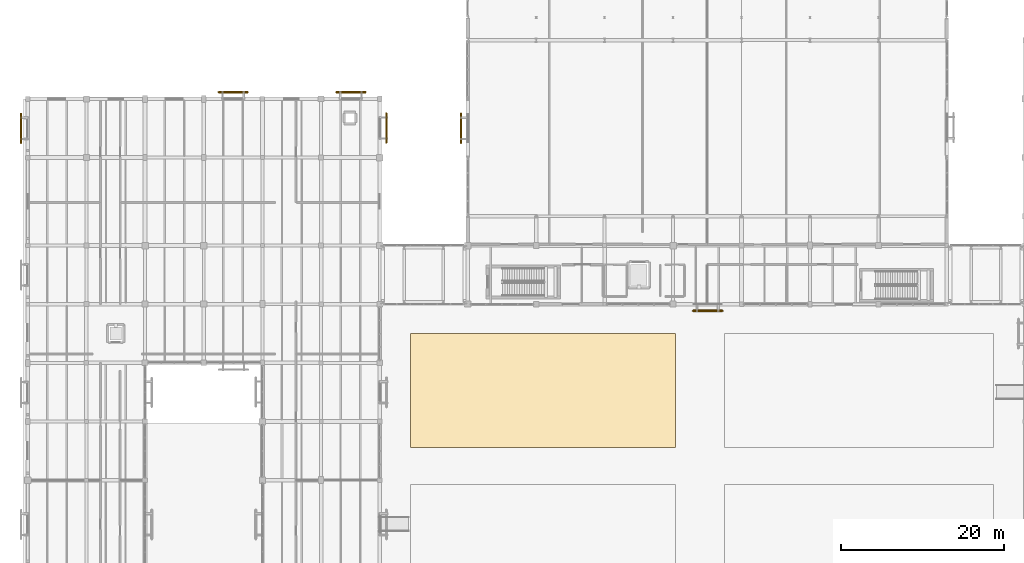
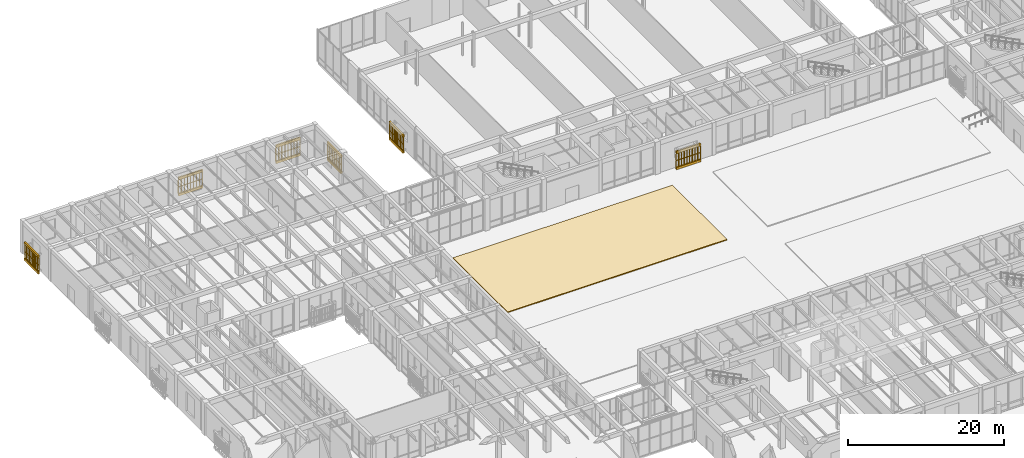
# One storey, part 155 of 169: 13 coverings, 12 railings.
"""IFC4 building model written with IfcOpenShell, lengths in metres."""

from ifc_helpers import new_model, si_unit, direction, frame, origin, origin_2d, place, context, subcontext, project, spatial, polyline, circle, outline, extrude, material, layer, layer_set, type_object, element, save


model = new_model("IFC4")

# Units and contexts
model_context = context("Model", 3, precision=1e-05, world=origin(), true_north=direction((0.0, 1.0)))
body_context = subcontext(model_context, "Body", "Model", "MODEL_VIEW")
ifc_project = project(units=[si_unit("LENGTHUNIT", "METRE"), si_unit("AREAUNIT", "SQUARE_METRE"), si_unit("VOLUMEUNIT", "CUBIC_METRE"), si_unit("PLANEANGLEUNIT", "RADIAN"), si_unit("MASSUNIT", "GRAM", prefix="KILO")], contexts=[model_context])

# Site, building, storey
site_placement = place(None, origin())
site = spatial("IfcSite", under=ifc_project, at=site_placement, CompositionType="ELEMENT")
building_placement = place(site_placement, origin())
building = spatial("IfcBuilding", under=site, at=building_placement, Name="Mazaris Harbour Polytechnic", CompositionType="ELEMENT")
storey_placement = place(building_placement, origin())
storey = spatial("IfcBuildingStorey", under=building, at=storey_placement, Name="L00", CompositionType="ELEMENT", Elevation=0.0)

# Railings
ifc_material_1 = material(Name="Perforated Earth-Coloured Terracotta Block", Category="masonry")
railing_type = type_object("IfcRailingType", Name="Perforated Earth-Block Claustra Lattice 1040", PredefinedType="BALUSTRADE", material=ifc_material_1)
for number, where, name in (
    (1, (85.25, 74.780029296875, 0.52001953125), "V1 L00 Lower Perforated Terracotta Block Screen 1"),
    (2, (85.25, 74.780029296875, 1.610107421875), "V1 L00 Upper Perforated Terracotta Block Screen 1"),
):
    element("IfcRailing", number, at=place(storey_placement, frame(where)), inside=storey, type_object=railing_type, Name=name, PredefinedType="BALUSTRADE", context=body_context, shape_type="SweptSolid", body=[
        extrude(circle(Radius=0.06982421875, at=origin_2d()), frame((0.0, 0.0, 1.02001953125), z_axis=(-1.0, 0.0, 0.0), x_axis=(0.0, -1.0, 0.0)), (0.0, 0.0, 1.0), 3.60009765625),
        extrude(circle(Radius=0.074951171875, at=origin_2d()), origin(), (0.0, 0.0, 1.0), 0.9501953125),
        extrude(circle(Radius=0.074951171875, at=origin_2d()), frame((-0.39990234375, 0.0, 0.0)), (0.0, 0.0, 1.0), 0.9501953125),
        extrude(circle(Radius=0.074951171875, at=origin_2d()), frame((-0.800048828125, 0.0, 0.0)), (0.0, 0.0, 1.0), 0.9501953125),
        extrude(circle(Radius=0.074951171875, at=origin_2d()), frame((-1.199951171875, 0.0, 0.0)), (0.0, 0.0, 1.0), 0.9501953125),
        extrude(circle(Radius=0.074951171875, at=origin_2d()), frame((-1.60009765625, 0.0, 0.0)), (0.0, 0.0, 1.0), 0.9501953125),
        extrude(circle(Radius=0.074951171875, at=origin_2d()), frame((-2.0, 0.0, 0.0)), (0.0, 0.0, 1.0), 0.9501953125),
        extrude(circle(Radius=0.074951171875, at=origin_2d()), frame((-2.400146484375, 0.0, 0.0)), (0.0, 0.0, 1.0), 0.9501953125),
        extrude(circle(Radius=0.074951171875, at=origin_2d()), frame((-2.800048828125, 0.0, 0.0)), (0.0, 0.0, 1.0), 0.9501953125),
        extrude(circle(Radius=0.074951171875, at=origin_2d()), frame((-3.2001953125, 0.0, 0.0)), (0.0, 0.0, 1.0), 0.9501953125),
        extrude(circle(Radius=0.074951171875, at=origin_2d()), frame((-3.60009765625, 0.0, 0.0)), (0.0, 0.0, 1.0), 0.9501953125),
    ])
for number, where, name in (
    (3, (53.179931640625, 95.389892578125, 0.52001953125), "V1 L00 Lower Perforated Terracotta Block Screen 3"),
    (4, (53.179931640625, 95.389892578125, 1.610107421875), "V1 L00 Upper Perforated Terracotta Block Screen 3"),
):
    element("IfcRailing", number, at=place(storey_placement, frame(where)), inside=storey, type_object=railing_type, Name=name, PredefinedType="BALUSTRADE", context=body_context, shape_type="SweptSolid", body=[
        extrude(circle(Radius=0.06982421875, at=origin_2d()), frame((0.0, 0.0, 1.02001953125), z_axis=(0.0, 1.0, 0.0), x_axis=(-1.0, 0.0, 0.0)), (0.0, 0.0, 1.0), 3.60009765625),
        extrude(circle(Radius=0.074951171875, at=origin_2d()), origin(), (0.0, 0.0, 1.0), 0.9501953125),
        extrude(circle(Radius=0.074951171875, at=origin_2d()), frame((0.0, 0.39990234375, 0.0)), (0.0, 0.0, 1.0), 0.9501953125),
        extrude(circle(Radius=0.074951171875, at=origin_2d()), frame((0.0, 0.800048828125, 0.0)), (0.0, 0.0, 1.0), 0.9501953125),
        extrude(circle(Radius=0.074951171875, at=origin_2d()), frame((0.0, 1.199951171875, 0.0)), (0.0, 0.0, 1.0), 0.9501953125),
        extrude(circle(Radius=0.074951171875, at=origin_2d()), frame((0.0, 1.60009765625, 0.0)), (0.0, 0.0, 1.0), 0.9501953125),
        extrude(circle(Radius=0.074951171875, at=origin_2d()), frame((0.0, 2.0, 0.0)), (0.0, 0.0, 1.0), 0.9501953125),
        extrude(circle(Radius=0.074951171875, at=origin_2d()), frame((0.0, 2.400146484375, 0.0)), (0.0, 0.0, 1.0), 0.9501953125),
        extrude(circle(Radius=0.074951171875, at=origin_2d()), frame((0.0, 2.800048828125, 0.0)), (0.0, 0.0, 1.0), 0.9501953125),
        extrude(circle(Radius=0.074951171875, at=origin_2d()), frame((0.0, 3.2001953125, 0.0)), (0.0, 0.0, 1.0), 0.9501953125),
        extrude(circle(Radius=0.074951171875, at=origin_2d()), frame((0.0, 3.60009765625, 0.0)), (0.0, 0.0, 1.0), 0.9501953125),
    ])
for number, where, name in (
    (5, (23.41259765625, 101.6201171875, 0.52001953125), "V4 L00 Lower Perforated Terracotta Block Screen 138"),
    (6, (23.41259765625, 101.6201171875, 1.610107421875), "V4 L00 Upper Perforated Terracotta Block Screen 138"),
    (7, (37.85009765625, 101.6201171875, 0.52001953125), "V4 L00 Lower Perforated Terracotta Block Screen 139"),
    (8, (37.85009765625, 101.6201171875, 1.610107421875), "V4 L00 Upper Perforated Terracotta Block Screen 139"),
):
    element("IfcRailing", number, at=place(storey_placement, frame(where)), inside=storey, type_object=railing_type, Name=name, PredefinedType="BALUSTRADE", context=body_context, shape_type="SweptSolid", body=[
        extrude(circle(Radius=0.06982421875, at=origin_2d()), frame((0.0, 0.0, 1.02001953125), z_axis=(1.0, 0.0, 0.0), x_axis=(0.0, 1.0, 0.0)), (0.0, 0.0, 1.0), 3.599853515625),
        extrude(circle(Radius=0.074951171875, at=origin_2d()), origin(), (0.0, 0.0, 1.0), 0.9501953125),
        extrude(circle(Radius=0.074951171875, at=origin_2d()), frame((0.449951171875, 0.0, 0.0)), (0.0, 0.0, 1.0), 0.9501953125),
        extrude(circle(Radius=0.074951171875, at=origin_2d()), frame((0.89990234375, 0.0, 0.0)), (0.0, 0.0, 1.0), 0.9501953125),
        extrude(circle(Radius=0.074951171875, at=origin_2d()), frame((1.349853515625, 0.0, 0.0)), (0.0, 0.0, 1.0), 0.9501953125),
        extrude(circle(Radius=0.074951171875, at=origin_2d()), frame((1.7998046875, 0.0, 0.0)), (0.0, 0.0, 1.0), 0.9501953125),
        extrude(circle(Radius=0.074951171875, at=origin_2d()), frame((2.25, 0.0, 0.0)), (0.0, 0.0, 1.0), 0.9501953125),
        extrude(circle(Radius=0.074951171875, at=origin_2d()), frame((2.699951171875, 0.0, 0.0)), (0.0, 0.0, 1.0), 0.9501953125),
        extrude(circle(Radius=0.074951171875, at=origin_2d()), frame((3.14990234375, 0.0, 0.0)), (0.0, 0.0, 1.0), 0.9501953125),
        extrude(circle(Radius=0.074951171875, at=origin_2d()), frame((3.599853515625, 0.0, 0.0)), (0.0, 0.0, 1.0), 0.9501953125),
    ])
for number, where, name in (
    (9, (-0.820068359375, 95.387451171875, 0.52001953125), "V4 L00 Lower Perforated Terracotta Block Screen 144"),
    (10, (-0.820068359375, 95.387451171875, 1.610107421875), "V4 L00 Upper Perforated Terracotta Block Screen 144"),
):
    element("IfcRailing", number, at=place(storey_placement, frame(where)), inside=storey, type_object=railing_type, Name=name, PredefinedType="BALUSTRADE", context=body_context, shape_type="SweptSolid", body=[
        extrude(circle(Radius=0.06982421875, at=origin_2d()), frame((0.0, 0.0, 1.02001953125), z_axis=(0.0, 1.0, 0.0), x_axis=(-1.0, 0.0, 0.0)), (0.0, 0.0, 1.0), 3.60009765625),
        extrude(circle(Radius=0.074951171875, at=origin_2d()), origin(), (0.0, 0.0, 1.0), 0.9501953125),
        extrude(circle(Radius=0.074951171875, at=origin_2d()), frame((0.0, 0.39990234375, 0.0)), (0.0, 0.0, 1.0), 0.9501953125),
        extrude(circle(Radius=0.074951171875, at=origin_2d()), frame((0.0, 0.800048828125, 0.0)), (0.0, 0.0, 1.0), 0.9501953125),
        extrude(circle(Radius=0.074951171875, at=origin_2d()), frame((0.0, 1.199951171875, 0.0)), (0.0, 0.0, 1.0), 0.9501953125),
        extrude(circle(Radius=0.074951171875, at=origin_2d()), frame((0.0, 1.60009765625, 0.0)), (0.0, 0.0, 1.0), 0.9501953125),
        extrude(circle(Radius=0.074951171875, at=origin_2d()), frame((0.0, 2.0, 0.0)), (0.0, 0.0, 1.0), 0.9501953125),
        extrude(circle(Radius=0.074951171875, at=origin_2d()), frame((0.0, 2.400146484375, 0.0)), (0.0, 0.0, 1.0), 0.9501953125),
        extrude(circle(Radius=0.074951171875, at=origin_2d()), frame((0.0, 2.800048828125, 0.0)), (0.0, 0.0, 1.0), 0.9501953125),
        extrude(circle(Radius=0.074951171875, at=origin_2d()), frame((0.0, 3.2001953125, 0.0)), (0.0, 0.0, 1.0), 0.9501953125),
        extrude(circle(Radius=0.074951171875, at=origin_2d()), frame((0.0, 3.60009765625, 0.0)), (0.0, 0.0, 1.0), 0.9501953125),
    ])
for number, where, name in (
    (11, (44.02001953125, 99.02490234375, 0.52001953125), "V4 L00 Lower Perforated Terracotta Block Screen 148"),
    (12, (44.02001953125, 99.02490234375, 1.610107421875), "V4 L00 Upper Perforated Terracotta Block Screen 148"),
):
    element("IfcRailing", number, at=place(storey_placement, frame(where)), inside=storey, type_object=railing_type, Name=name, PredefinedType="BALUSTRADE", context=body_context, shape_type="SweptSolid", body=[
        extrude(circle(Radius=0.06982421875, at=origin_2d()), frame((0.0, 0.0, 1.02001953125), z_axis=(0.0, -1.0, 0.0), x_axis=(1.0, 0.0, 0.0)), (0.0, 0.0, 1.0), 3.599853515625),
        extrude(circle(Radius=0.074951171875, at=origin_2d()), origin(), (0.0, 0.0, 1.0), 0.9501953125),
        extrude(circle(Radius=0.074951171875, at=origin_2d()), frame((0.0, -0.449951171875, 0.0)), (0.0, 0.0, 1.0), 0.9501953125),
        extrude(circle(Radius=0.074951171875, at=origin_2d()), frame((0.0, -0.89990234375, 0.0)), (0.0, 0.0, 1.0), 0.9501953125),
        extrude(circle(Radius=0.074951171875, at=origin_2d()), frame((0.0, -1.349853515625, 0.0)), (0.0, 0.0, 1.0), 0.9501953125),
        extrude(circle(Radius=0.074951171875, at=origin_2d()), frame((0.0, -1.7998046875, 0.0)), (0.0, 0.0, 1.0), 0.9501953125),
        extrude(circle(Radius=0.074951171875, at=origin_2d()), frame((0.0, -2.25, 0.0)), (0.0, 0.0, 1.0), 0.9501953125),
        extrude(circle(Radius=0.074951171875, at=origin_2d()), frame((0.0, -2.699951171875, 0.0)), (0.0, 0.0, 1.0), 0.9501953125),
        extrude(circle(Radius=0.074951171875, at=origin_2d()), frame((0.0, -3.14990234375, 0.0)), (0.0, 0.0, 1.0), 0.9501953125),
        extrude(circle(Radius=0.074951171875, at=origin_2d()), frame((0.0, -3.599853515625, 0.0)), (0.0, 0.0, 1.0), 0.9501953125),
    ])

# Coverings
ifc_material_2 = material(Name="Patinated Standing-Seam Zinc")
ifc_layer_1 = layer(ifc_material_2, 0.044921875, Name="Patinated Standing-Seam Zinc")
ifc_layer_set_1 = layer_set([ifc_layer_1], Name="Patinated Standing-Seam Zinc")
covering_type_1 = type_object("IfcCoveringType", Name="Standing-Seam Zinc Roof Covering 45", PredefinedType="ROOFING", material=ifc_layer_set_1)
covering_1_placement = place(storey_placement, origin())
element("IfcCovering", 13, at=covering_1_placement, inside=storey, type_object=covering_type_1, Name="Covering COV-CRT-03", PredefinedType="ROOFING", context=body_context, shape_type="SweptSolid", body=[
    extrude(outline(polyline([(47.0, 58.0), (79.5, 58.0), (79.5, 72.0), (47.0, 72.0), (47.0, 58.0)])), origin(), (0.0, 0.0, 1.0), 0.139892578125),
])
ifc_material_3 = material(Name="Perforated Earth-Coloured Terracotta Block", Category="masonry")
ifc_layer_2 = layer(ifc_material_3, 0.219970703125, Name="Perforated Earth-Coloured Terracotta Block")
ifc_layer_set_2 = layer_set([ifc_layer_2], Name="Perforated Earth-Coloured Terracotta Block")
covering_type_2 = type_object("IfcCoveringType", Name="Terracotta Screen Course Cladding 220", PredefinedType="CLADDING", material=ifc_layer_set_2)
covering_2_placement = place(storey_placement, frame((0.0, 0.0, 0.159912109375)))
element("IfcCovering", 14, at=covering_2_placement, inside=storey, type_object=covering_type_2, Name="V1 L00 Perforated Screen Sill Course 1", PredefinedType="CLADDING", context=body_context, shape_type="SweptSolid", body=[
    extrude(outline(polyline([(85.25, 74.889892578125), (81.64990234375, 74.889892578125), (81.64990234375, 74.669921875), (85.25, 74.669921875), (85.25, 74.889892578125)])), origin(), (0.0, 0.0, 1.0), 0.360107421875),
])
covering_3_placement = place(storey_placement, frame((0.0, 0.0, 2.699951171875)))
element("IfcCovering", 15, at=covering_3_placement, inside=storey, type_object=covering_type_2, Name="V1 L00 Perforated Screen Lintel Course 1", PredefinedType="CLADDING", context=body_context, shape_type="SweptSolid", body=[
    extrude(outline(polyline([(85.25, 74.889892578125), (81.64990234375, 74.889892578125), (81.64990234375, 74.669921875), (85.25, 74.669921875), (85.25, 74.889892578125)])), origin(), (0.0, 0.0, 1.0), 0.340087890625),
])
covering_4_placement = place(storey_placement, frame((0.0, 0.0, 0.159912109375)))
element("IfcCovering", 16, at=covering_4_placement, inside=storey, type_object=covering_type_2, Name="V1 L00 Perforated Screen Sill Course 3", PredefinedType="CLADDING", context=body_context, shape_type="SweptSolid", body=[
    extrude(outline(polyline([(53.2900390625, 95.389892578125), (53.2900390625, 98.989990234375), (53.070068359375, 98.989990234375), (53.070068359375, 95.389892578125), (53.2900390625, 95.389892578125)])), origin(), (0.0, 0.0, 1.0), 0.360107421875),
])
covering_5_placement = place(storey_placement, frame((0.0, 0.0, 2.699951171875)))
element("IfcCovering", 17, at=covering_5_placement, inside=storey, type_object=covering_type_2, Name="V1 L00 Perforated Screen Lintel Course 3", PredefinedType="CLADDING", context=body_context, shape_type="SweptSolid", body=[
    extrude(outline(polyline([(53.2900390625, 95.389892578125), (53.2900390625, 98.989990234375), (53.070068359375, 98.989990234375), (53.070068359375, 95.389892578125), (53.2900390625, 95.389892578125)])), origin(), (0.0, 0.0, 1.0), 0.340087890625),
])
covering_6_placement = place(storey_placement, frame((0.0, 0.0, 0.159912109375)))
element("IfcCovering", 18, at=covering_6_placement, inside=storey, type_object=covering_type_2, Name="V4 L00 Perforated Screen Sill Course 138", PredefinedType="CLADDING", context=body_context, shape_type="SweptSolid", body=[
    extrude(outline(polyline([(23.41259765625, 101.510009765625), (27.012451171875, 101.510009765625), (27.012451171875, 101.72998046875), (23.41259765625, 101.72998046875), (23.41259765625, 101.510009765625)])), origin(), (0.0, 0.0, 1.0), 0.360107421875),
])
covering_7_placement = place(storey_placement, frame((0.0, 0.0, 2.699951171875)))
element("IfcCovering", 19, at=covering_7_placement, inside=storey, type_object=covering_type_2, Name="V4 L00 Perforated Screen Lintel Course 138", PredefinedType="CLADDING", context=body_context, shape_type="SweptSolid", body=[
    extrude(outline(polyline([(23.41259765625, 101.510009765625), (27.012451171875, 101.510009765625), (27.012451171875, 101.72998046875), (23.41259765625, 101.72998046875), (23.41259765625, 101.510009765625)])), origin(), (0.0, 0.0, 1.0), 0.340087890625),
])
covering_8_placement = place(storey_placement, frame((0.0, 0.0, 0.159912109375)))
element("IfcCovering", 20, at=covering_8_placement, inside=storey, type_object=covering_type_2, Name="V4 L00 Perforated Screen Sill Course 139", PredefinedType="CLADDING", context=body_context, shape_type="SweptSolid", body=[
    extrude(outline(polyline([(37.85009765625, 101.510009765625), (41.449951171875, 101.510009765625), (41.449951171875, 101.72998046875), (37.85009765625, 101.72998046875), (37.85009765625, 101.510009765625)])), origin(), (0.0, 0.0, 1.0), 0.360107421875),
])
covering_9_placement = place(storey_placement, frame((0.0, 0.0, 2.699951171875)))
element("IfcCovering", 21, at=covering_9_placement, inside=storey, type_object=covering_type_2, Name="V4 L00 Perforated Screen Lintel Course 139", PredefinedType="CLADDING", context=body_context, shape_type="SweptSolid", body=[
    extrude(outline(polyline([(37.85009765625, 101.510009765625), (41.449951171875, 101.510009765625), (41.449951171875, 101.72998046875), (37.85009765625, 101.72998046875), (37.85009765625, 101.510009765625)])), origin(), (0.0, 0.0, 1.0), 0.340087890625),
])
covering_10_placement = place(storey_placement, frame((0.0, 0.0, 0.159912109375)))
element("IfcCovering", 22, at=covering_10_placement, inside=storey, type_object=covering_type_2, Name="V4 L00 Perforated Screen Sill Course 144", PredefinedType="CLADDING", context=body_context, shape_type="SweptSolid", body=[
    extrude(outline(polyline([(-0.7099609375, 95.387451171875), (-0.7099609375, 98.987548828125), (-0.929931640625, 98.987548828125), (-0.929931640625, 95.387451171875), (-0.7099609375, 95.387451171875)])), origin(), (0.0, 0.0, 1.0), 0.360107421875),
])
covering_11_placement = place(storey_placement, frame((0.0, 0.0, 2.699951171875)))
element("IfcCovering", 23, at=covering_11_placement, inside=storey, type_object=covering_type_2, Name="V4 L00 Perforated Screen Lintel Course 144", PredefinedType="CLADDING", context=body_context, shape_type="SweptSolid", body=[
    extrude(outline(polyline([(-0.7099609375, 95.387451171875), (-0.7099609375, 98.987548828125), (-0.929931640625, 98.987548828125), (-0.929931640625, 95.387451171875), (-0.7099609375, 95.387451171875)])), origin(), (0.0, 0.0, 1.0), 0.340087890625),
])
covering_12_placement = place(storey_placement, frame((0.0, 0.0, 0.159912109375)))
element("IfcCovering", 24, at=covering_12_placement, inside=storey, type_object=covering_type_2, Name="V4 L00 Perforated Screen Sill Course 148", PredefinedType="CLADDING", context=body_context, shape_type="SweptSolid", body=[
    extrude(outline(polyline([(43.909912109375, 99.02490234375), (43.909912109375, 95.425048828125), (44.1298828125, 95.425048828125), (44.1298828125, 99.02490234375), (43.909912109375, 99.02490234375)])), origin(), (0.0, 0.0, 1.0), 0.360107421875),
])
covering_13_placement = place(storey_placement, frame((0.0, 0.0, 2.699951171875)))
element("IfcCovering", 25, at=covering_13_placement, inside=storey, type_object=covering_type_2, Name="V4 L00 Perforated Screen Lintel Course 148", PredefinedType="CLADDING", context=body_context, shape_type="SweptSolid", body=[
    extrude(outline(polyline([(43.909912109375, 99.02490234375), (43.909912109375, 95.425048828125), (44.1298828125, 95.425048828125), (44.1298828125, 99.02490234375), (43.909912109375, 99.02490234375)])), origin(), (0.0, 0.0, 1.0), 0.340087890625),
])

save(model, "model.ifc")
